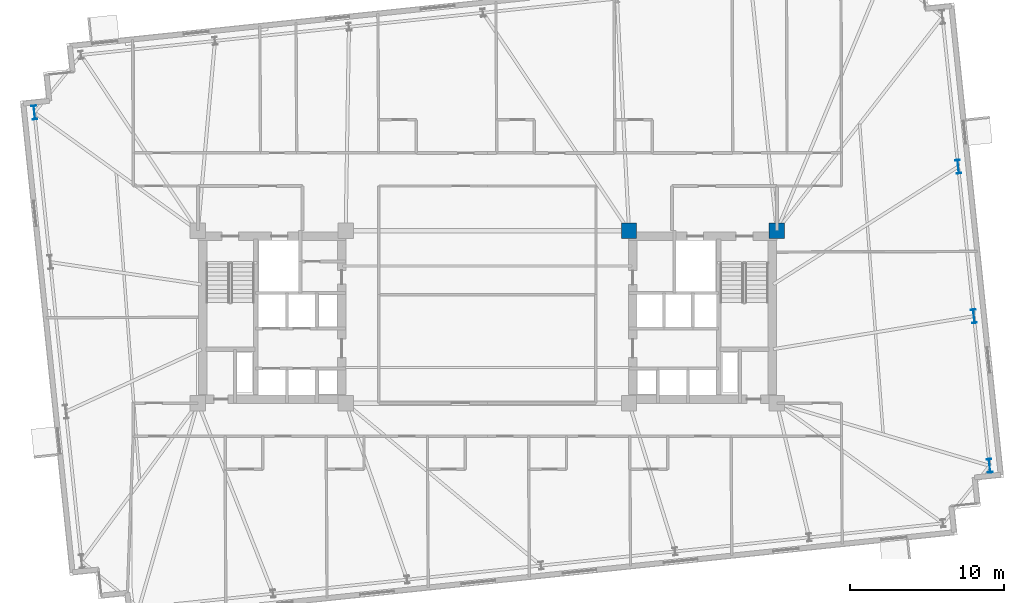
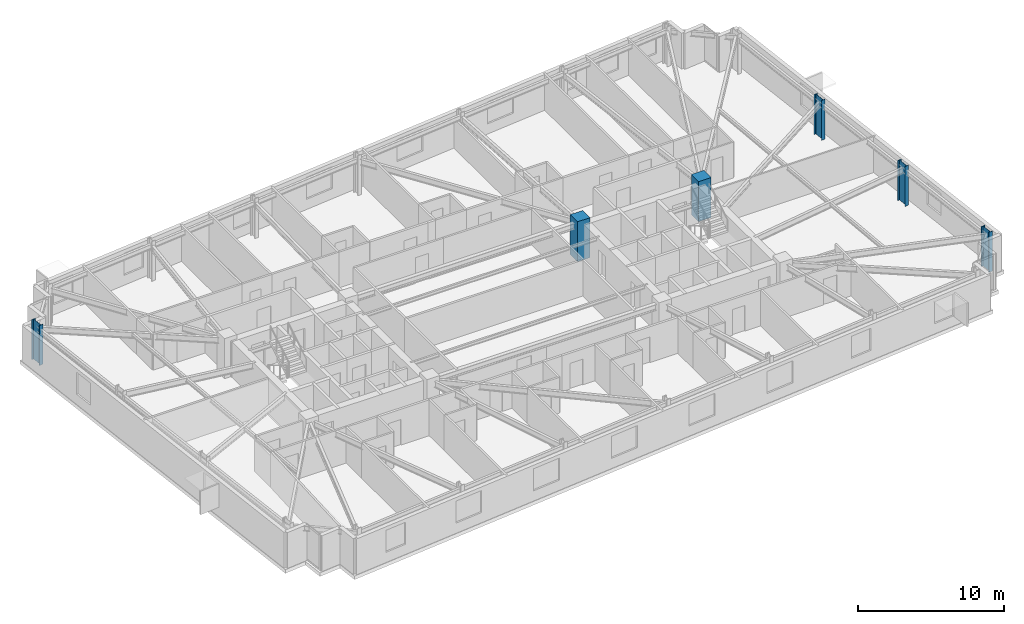
# One storey, part 2 of 19: 6 columns.
"""IFC4 building model written with IfcOpenShell, lengths in metres."""

import ifcopenshell
import ifcopenshell.guid

model = None  # the IFC model being written
_history = None  # IfcOwnerHistory: only IFC2X3 demands one
_inside = {}  # id of a spatial element -> (the spatial element, [elements in it])
_under = {}  # id of a project, library or spatial element -> (it, [spatial elements below it])
_declared = {}  # id of a project -> (the project, [libraries it declares])
_typed = {}  # id of a type object -> (the type object, [elements of that type])
_made_of = {}  # id of a material, layer set ... -> (it, [elements and type objects made of it])


def new_model(schema):
    """Start an empty IFC model of exactly this schema.

    Asked for "IFC4X3", IfcOpenShell would pick the latest addendum, in which some entities
    have other attributes; the version numbers below select the first issue.
    IFC2X3 requires an IfcOwnerHistory on every rooted entity: one is made here for all.
    """
    global model, _history
    if schema == "IFC4X3":
        model = ifcopenshell.file(schema_version=(4, 3, 0, 0))
    else:
        model = ifcopenshell.file(schema=schema)
    _inside.clear()
    _under.clear()
    _declared.clear()
    _typed.clear()
    _made_of.clear()
    _history = None
    if model.schema == "IFC2X3":
        org = make("IfcOrganization", Name="unknown")
        user = make(
            "IfcPersonAndOrganization",
            ThePerson=make("IfcPerson", FamilyName="unknown"),
            TheOrganization=org,
        )
        app = make(
            "IfcApplication",
            ApplicationDeveloper=org,
            Version="unknown",
            ApplicationFullName="unknown",
            ApplicationIdentifier="unknown",
        )
        _history = make(
            "IfcOwnerHistory",
            OwningUser=user,
            OwningApplication=app,
            ChangeAction="ADDED",
            CreationDate=0,
        )
    return model


def make(cls, **values):
    """One entity of the class cls with the attributes given. An attribute that is None is left unset."""
    return model.create_entity(
        cls, **{name: value for name, value in values.items() if value is not None}
    )


def rooted(cls, **values):
    """An entity with a GlobalId (a new one), such as an element, a storey or a relation."""
    return make(cls, GlobalId=ifcopenshell.guid.new(), OwnerHistory=_history, **values)


def si_unit(unit_type, name, prefix=None):
    """IfcSIUnit, for example si_unit("LENGTHUNIT", "METRE", prefix="MILLI")."""
    return make("IfcSIUnit", UnitType=unit_type, Prefix=prefix, Name=name)


def assignment(units):
    """IfcUnitAssignment: the units of a project."""
    return None if units is None else make("IfcUnitAssignment", Units=units)


def point(xyz):
    """IfcCartesianPoint."""
    return None if xyz is None else make("IfcCartesianPoint", Coordinates=xyz)


def direction(xyz):
    """IfcDirection."""
    return None if xyz is None else make("IfcDirection", DirectionRatios=xyz)


def frame(location, z_axis=None, x_axis=None):
    """IfcAxis2Placement3D, a coordinate frame: its origin and axes. An axis left out is left unset."""
    return make(
        "IfcAxis2Placement3D",
        Location=point(location),
        Axis=direction(z_axis),
        RefDirection=direction(x_axis),
    )


def frame_2d(location, x_axis=None):
    """IfcAxis2Placement2D, a coordinate frame in the plane: its origin and x axis."""
    return make(
        "IfcAxis2Placement2D", Location=point(location), RefDirection=direction(x_axis)
    )


def origin():
    """The frame at (0, 0, 0) with its axes left unset."""
    return frame((0.0, 0.0, 0.0))


def origin_2d():
    """The frame at (0, 0) in the plane with its x axis left unset."""
    return frame_2d((0.0, 0.0))


def place(relative_to, where):
    """IfcLocalPlacement: puts the frame where relative to a parent placement (None: the world)."""
    return make(
        "IfcLocalPlacement", PlacementRelTo=relative_to, RelativePlacement=where
    )


def context(
    kind, dimensions, precision=None, world=None, true_north=None, identifier=None
):
    """IfcGeometricRepresentationContext, for example the 3D "Model" context."""
    return make(
        "IfcGeometricRepresentationContext",
        ContextIdentifier=identifier,
        ContextType=kind,
        CoordinateSpaceDimension=dimensions,
        Precision=precision,
        WorldCoordinateSystem=world,
        TrueNorth=true_north,
    )


def subcontext(parent, identifier, kind, view, scale=None):
    """IfcGeometricRepresentationSubContext, for example "Body" below "Model"."""
    return make(
        "IfcGeometricRepresentationSubContext",
        ContextIdentifier=identifier,
        ContextType=kind,
        ParentContext=parent,
        TargetScale=scale,
        TargetView=view,
    )


def project(units=None, contexts=None):
    """IfcProject with its units and contexts."""
    return rooted(
        "IfcProject",
        Name="project",
        RepresentationContexts=contexts,
        UnitsInContext=assignment(units),
    )


def spatial(cls, under=None, at=None, **own):
    """A site, building, storey or space (cls), placed at a placement, below another one or the project."""
    s = rooted(cls, ObjectPlacement=at, **own)
    if under is not None:
        _under.setdefault(under.id(), (under, []))[1].append(s)
    return s


def profile(cls, at=None, kind="AREA", **sizes):
    """A parametric profile (cls). Its sizes go by their IFC names, for example OverallWidth=200.0."""
    return make(cls, ProfileType=kind, Position=at, **sizes)


def rectangle(**sizes):
    """IfcRectangleProfileDef."""
    return profile("IfcRectangleProfileDef", **sizes)


def i_section(**sizes):
    """IfcIShapeProfileDef."""
    return profile("IfcIShapeProfileDef", **sizes)


def extrude(swept, where, along, depth):
    """IfcExtrudedAreaSolid: the profile swept, set in the frame where, extruded along a direction by depth."""
    return make(
        "IfcExtrudedAreaSolid",
        SweptArea=swept,
        Position=where,
        ExtrudedDirection=direction(along),
        Depth=depth,
    )


def shape(context_of_items, identifier, shape_type, items):
    """IfcShapeRepresentation: the items that make up one representation, for example the "Body"."""
    return make(
        "IfcShapeRepresentation",
        ContextOfItems=context_of_items,
        RepresentationIdentifier=identifier,
        RepresentationType=shape_type,
        Items=items,
    )


def material(Name=None, Category=None):
    """IfcMaterial."""
    return make("IfcMaterial", Name=Name, Category=Category)


def material_profile(
    of_material, cross_section, Name=None, Category=None, Priority=None
):
    """IfcMaterialProfile: a cross section and its material."""
    return make(
        "IfcMaterialProfile",
        Name=Name,
        Material=of_material,
        Profile=cross_section,
        Priority=Priority,
        Category=Category,
    )


def profile_set(profiles, Name=None, composite=None):
    """IfcMaterialProfileSet."""
    return make(
        "IfcMaterialProfileSet",
        Name=Name,
        MaterialProfiles=profiles,
        CompositeProfile=composite,
    )


def made_of(thing, what):
    """Note that an element or type object is made of a material, layer set ...; save() writes the relation."""
    if what is not None:
        _made_of.setdefault(what.id(), (what, []))[1].append(thing)
    return thing


def type_object(cls, material=None, **own):
    """A type object (cls), such as IfcWallType, which elements share."""
    return made_of(rooted(cls, **own), material)


def element(
    cls,
    number,
    at=None,
    inside=None,
    cuts=None,
    type_object=None,
    material=None,
    context=None,
    identifier="Body",
    shape_type=None,
    held_by="IfcProductDefinitionShape",
    body=None,
    shapes=None,
    **own,
):
    """One element of the class cls, such as IfcWall. Its Tag is "e" and its number.

    at: its placement. inside: the storey or other place that contains it. cuts: it is an
    opening in that element (IfcRelVoidsElement). A single representation is given by context,
    identifier, shape_type and body (its items); several are given by shapes. held_by: the class
    of the entity that holds the representations. save() writes the other relations.
    """
    e = rooted(cls, Tag="e%d" % number, ObjectPlacement=at, **own)
    if body is not None:
        shapes = [shape(context, identifier, shape_type, body)]
    if shapes is not None:
        e.Representation = make(held_by, Representations=shapes)
    if inside is not None:
        _inside.setdefault(inside.id(), (inside, []))[1].append(e)
    if cuts is not None:
        rooted(
            "IfcRelVoidsElement", RelatingBuildingElement=cuts, RelatedOpeningElement=e
        )
    if type_object is not None:
        _typed.setdefault(type_object.id(), (type_object, []))[1].append(e)
    return made_of(e, material)


def aggregate(whole, parts):
    """IfcRelAggregates: a whole, such as a stair, and the parts it consists of."""
    return rooted("IfcRelAggregates", RelatingObject=whole, RelatedObjects=parts)


def save(model, path):
    """Write the relations noted so far, then the file.

    IfcRelAggregates (storeys below a building ...), IfcRelContainedInSpatialStructure (elements
    in a storey), IfcRelDefinesByType, IfcRelAssociatesMaterial and IfcRelDeclares: one each for
    every whole, place, type object, material and project.
    """
    for whole, parts in _under.values():
        aggregate(whole, parts)
    for where, things in _inside.values():
        rooted(
            "IfcRelContainedInSpatialStructure",
            RelatedElements=things,
            RelatingStructure=where,
        )
    for kind, things in _typed.values():
        rooted("IfcRelDefinesByType", RelatedObjects=things, RelatingType=kind)
    for what, things in _made_of.values():
        rooted("IfcRelAssociatesMaterial", RelatedObjects=things, RelatingMaterial=what)
    for by, libraries in _declared.values():
        rooted("IfcRelDeclares", RelatingContext=by, RelatedDefinitions=libraries)
    model.write(path)


model = new_model("IFC4")

# Units and contexts
model_context = context("Model", 3, precision=1e-05, world=origin(), true_north=direction((0.0, 1.0)))
body_context = subcontext(model_context, "Body", "Model", "MODEL_VIEW")
ifc_project = project(units=[si_unit("LENGTHUNIT", "METRE"), si_unit("AREAUNIT", "SQUARE_METRE"), si_unit("VOLUMEUNIT", "CUBIC_METRE"), si_unit("PLANEANGLEUNIT", "RADIAN"), si_unit("MASSUNIT", "GRAM", prefix="KILO")], contexts=[model_context])

# Site, building, storey
site_placement = place(None, origin())
site = spatial("IfcSite", under=ifc_project, at=site_placement, CompositionType="ELEMENT")
building_placement = place(site_placement, origin())
building = spatial("IfcBuilding", under=site, at=building_placement, Name="Qobustan Lattice House", CompositionType="ELEMENT")
storey_placement = place(building_placement, frame((0.0, 0.0, 122.550048828125)))
storey = spatial("IfcBuildingStorey", under=building, at=storey_placement, Name="L34", CompositionType="ELEMENT", Elevation=122.550048828125)

# Columns
ifc_material_1 = material(Name="Concrete C60/75", Category="concrete")
ifc_material_profile_1 = material_profile(ifc_material_1, rectangle(XDim=1.0, YDim=1.0, at=origin_2d()), Name="RC1000x1000")
ifc_profile_set_1 = profile_set([ifc_material_profile_1], Name="Concrete C60/75")
column_type_1 = type_object("IfcColumnType", Name="COL-RC-1000", PredefinedType="COLUMN", material=ifc_profile_set_1)
for number, where, z_axis, x_axis, name in (
    (1, (9.199951171875, 5.60009765625, 0.0), (0.0, 0.0, 1.0), (1.0, 0.0, 0.0), "L34 core mega-column CE-NW"),
    (2, (18.800048828125, 5.60009765625, 0.0), (0.0, 0.0, 1.0), (1.0, 0.0, 0.0), "L34 core mega-column CE-NE"),
):
    element("IfcColumn", number, at=place(storey_placement, frame(where, z_axis=z_axis, x_axis=x_axis)), inside=storey, type_object=column_type_1, Name=name, PredefinedType="COLUMN", context=body_context, shape_type="SweptSolid", body=[
        extrude(rectangle(XDim=1.0, YDim=1.0, at=origin_2d()), origin(), (0.0, 0.0, 1.0), 3.349853515625),
    ])
ifc_material_2 = material(Name="Steel S355", Category="steel")
ifc_material_profile_2 = material_profile(ifc_material_2, i_section(OverallWidth=0.300048828125, OverallDepth=0.89990234375, WebThickness=0.0185546875, FlangeThickness=0.034912109375, FilletRadius=0.030029296875, at=origin_2d()), Name="HEB900")
ifc_profile_set_2 = profile_set([ifc_material_profile_2], Name="Steel S355")
column_type_2 = type_object("IfcColumnType", Name="COL-ST-HEB900", PredefinedType="COLUMN", material=ifc_profile_set_2)
for number, where, z_axis, x_axis, name in (
    (3, (32.618896484375, -9.67041015625, 0.0), (0.0, 0.0, 1.0), (0.994521895368, 0.104528463268, 0.0), "L34 B2 perimeter column E1"),
    (4, (31.597900390625, 0.042724609375, 0.0), (0.0, 0.0, 1.0), (0.994521895368, 0.104528463268, 0.0), "L34 B2 perimeter column E2"),
    (5, (30.5771484375, 9.755859375, 0.0), (0.0, 0.0, 1.0), (0.994521895368, 0.104528463268, 0.0), "L34 B2 perimeter column E3"),
    (6, (-29.4189453125, 13.2705078125, 0.0), (0.0, 0.0, 1.0), (0.994521895368, 0.104528463268, 0.0), "L34 B2 perimeter column W1"),
):
    element("IfcColumn", number, at=place(storey_placement, frame(where, z_axis=z_axis, x_axis=x_axis)), inside=storey, type_object=column_type_2, Name=name, PredefinedType="COLUMN", context=body_context, shape_type="SweptSolid", body=[
        extrude(i_section(OverallWidth=0.300048828125, OverallDepth=0.89990234375, WebThickness=0.0185546875, FlangeThickness=0.034912109375, FilletRadius=0.030029296875, at=origin_2d()), origin(), (0.0, 0.0, 1.0), 3.349853515625),
    ])

save(model, "model.ifc")
